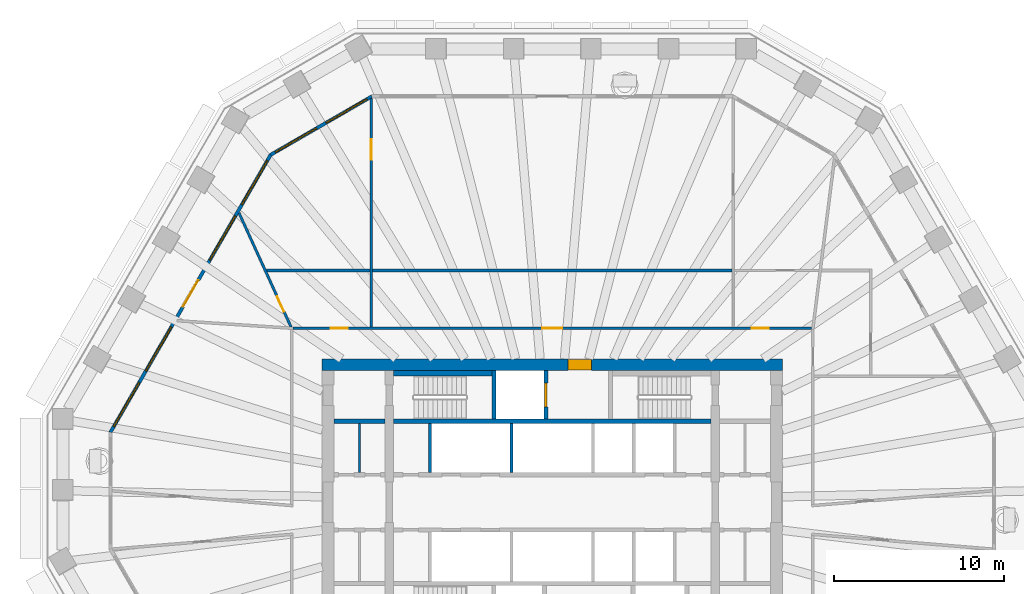
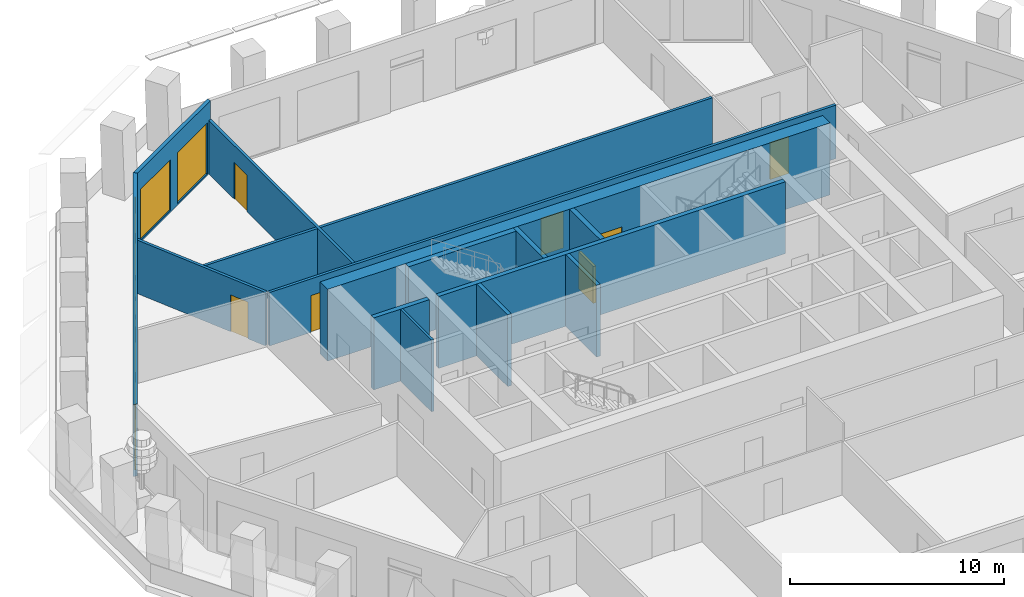
# One storey, part 7 of 13: 15 walls, 8 doors, 7 windows, 15 openings.
"""IFC4 building model written with IfcOpenShell, lengths in metres."""

from ifc_helpers import new_model, si_unit, direction, frame, frame_2d, origin, place, context, subcontext, project, spatial, polyline, rectangle, outline, extrude, material, layer, layer_set, type_object, element, fill, save


model = new_model("IFC4")

# Units and contexts
model_context = context("Model", 3, precision=1e-05, world=origin(), true_north=direction((0.0, 1.0)))
body_context = subcontext(model_context, "Body", "Model", "MODEL_VIEW")
ifc_project = project(units=[si_unit("LENGTHUNIT", "METRE"), si_unit("AREAUNIT", "SQUARE_METRE"), si_unit("VOLUMEUNIT", "CUBIC_METRE"), si_unit("PLANEANGLEUNIT", "RADIAN"), si_unit("MASSUNIT", "GRAM", prefix="KILO")], contexts=[model_context])

# Site, building, storey
site_placement = place(None, origin())
site = spatial("IfcSite", under=ifc_project, at=site_placement, CompositionType="ELEMENT")
building_placement = place(site_placement, origin())
building = spatial("IfcBuilding", under=site, at=building_placement, Name="Frailejon Research Tower", CompositionType="ELEMENT")
storey_placement = place(building_placement, frame((0.0, 0.0, 167.199951171875)))
storey = spatial("IfcBuildingStorey", under=building, at=storey_placement, Name="L36", CompositionType="ELEMENT", Elevation=167.199951171875)

# Wall
ifc_material_1 = material(Name="Plasterboard on steel studs", Category="steel")
ifc_layer_1 = layer(ifc_material_1, 0.125)
ifc_layer_set_1 = layer_set([ifc_layer_1], Name="Core partition 125")
wall_type_1 = type_object("IfcWallType", Name="Core partition 125", PredefinedType="PARTITIONING", material=ifc_layer_set_1)
wall_1_placement = place(storey_placement, frame((-11.35009765625, 1.75, 0.0), z_axis=(0.0, 0.0, 1.0), x_axis=(0.0, 1.0, 0.0)))
element("IfcWall", 1, at=wall_1_placement, inside=storey, type_object=wall_type_1, Name="Core partition", PredefinedType="PARTITIONING", context=body_context, shape_type="SweptSolid", body=[
    extrude(rectangle(XDim=2.89990234375, YDim=0.125, at=frame_2d((1.449951171875, 0.0))), origin(), (0.0, 0.0, 1.0), 4.10009765625),
])

# Wall, opening, door
ifc_material_2 = material(Name="Concrete C60/75", Category="concrete")
ifc_layer_2 = layer(ifc_material_2, 0.699951171875)
ifc_layer_set_2 = layer_set([ifc_layer_2], Name="Core shear wall 700 C60/75")
wall_type_2 = type_object("IfcWallType", Name="Core shear wall 700 C60/75", PredefinedType="SHEAR", material=ifc_layer_set_2)
wall_2_placement = place(storey_placement, frame((-13.550048828125, 8.10009765625, 0.0), z_axis=(0.0, 0.0, 1.0), x_axis=(1.0, 0.0, 0.0)))
wall_2 = element("IfcWall", 2, at=wall_2_placement, inside=storey, type_object=wall_type_2, Name="Core shear wall", PredefinedType="SHEAR", context=body_context, shape_type="SweptSolid", body=[
    extrude(rectangle(XDim=27.10009765625, YDim=0.699951171875, at=frame_2d((13.550048828125, 0.0))), origin(), (0.0, 0.0, 1.0), 4.10009765625),
])
opening_1_placement = place(wall_2_placement, frame((14.47509765625, 0.0, 0.0)))
opening_1 = element("IfcOpeningElement", 3, at=opening_1_placement, cuts=wall_2, Name="Opening D9", PredefinedType="OPENING", context=body_context, shape_type="SweptSolid", body=[
    extrude(rectangle(XDim=1.39990234375, YDim=2.10009765625, at=frame_2d((0.699951171875, 1.050048828125))), frame((0.0, 0.35986328125, 0.0), z_axis=(0.0, -1.0, 0.0), x_axis=(1.0, 0.0, 0.0)), (0.0, 0.0, 1.0), 0.719970703125),
])
ifc_material_3 = material(Name="Steel", Category="steel")
door_type_1 = type_object("IfcDoorType", Name="Goods lobby door", OperationType="DOUBLE_DOOR_SINGLE_SWING", PredefinedType="DOOR", material=ifc_material_3)
door_1_placement = place(opening_1_placement, origin())
door_1 = element("IfcDoor", 4, at=door_1_placement, inside=storey, type_object=door_type_1, Name="Goods lobby door", OperationType="DOUBLE_DOOR_SINGLE_SWING", OverallHeight=2.10009765625, OverallWidth=1.39990234375, PredefinedType="DOOR", context=body_context, shape_type="SweptSolid", body=[
    extrude(rectangle(XDim=1.39990234375, YDim=2.10009765625, at=frame_2d((0.699951171875, 1.050048828125))), frame((0.0, 0.300048828125, 0.0), z_axis=(0.0, -1.0, 0.0), x_axis=(1.0, 0.0, 0.0)), (0.0, 0.0, 1.0), 0.60009765625),
])
fill(opening_1, door_1)

# Wall, openings, doors
ifc_material_4 = material(Name="Gypsum board and masonry partition", Category="masonry")
ifc_layer_3 = layer(ifc_material_4, 0.14990234375)
ifc_layer_set_3 = layer_set([ifc_layer_3], Name="Corridor wall EI 60, gypsum on steel studs 150")
wall_type_3 = type_object("IfcWallType", Name="Corridor wall EI 60, gypsum on steel studs 150", PredefinedType="PARTITIONING", material=ifc_layer_set_3)
wall_3_placement = place(storey_placement, frame((-15.27490234375, 10.25, 0.0), z_axis=(0.0, 0.0, 1.0), x_axis=(1.0, 0.0, 0.0)))
wall_3 = element("IfcWall", 5, at=wall_3_placement, inside=storey, type_object=wall_type_3, Name="T:IW:L36:003", PredefinedType="PARTITIONING", context=body_context, shape_type="SweptSolid", body=[
    extrude(rectangle(XDim=30.5498046875, YDim=0.14990234375, at=frame_2d((15.27490234375, 0.0))), origin(), (0.0, 0.0, 1.0), 3.050048828125),
])
opening_2_placement = place(wall_3_placement, frame((27.028564453125, 0.0, 0.0)))
opening_2 = element("IfcOpeningElement", 6, at=opening_2_placement, cuts=wall_3, Name="Opening D1783", PredefinedType="OPENING", context=body_context, shape_type="SweptSolid", body=[
    extrude(rectangle(XDim=1.0, YDim=2.10009765625, at=frame_2d((0.5, 1.050048828125))), frame((0.0, 0.0849609375, 0.0), z_axis=(0.0, -1.0, 0.0), x_axis=(1.0, 0.0, 0.0)), (0.0, 0.0, 1.0), 0.169921875),
])
opening_3_placement = place(wall_3_placement, frame((14.675048828125, 0.0, 0.0)))
opening_3 = element("IfcOpeningElement", 7, at=opening_3_placement, cuts=wall_3, Name="Opening D1786", PredefinedType="OPENING", context=body_context, shape_type="SweptSolid", body=[
    extrude(rectangle(XDim=1.199951171875, YDim=2.10009765625, at=frame_2d((0.60009765625, 1.050048828125))), frame((0.0, 0.0849609375, 0.0), z_axis=(0.0, -1.0, 0.0), x_axis=(1.0, 0.0, 0.0)), (0.0, 0.0, 1.0), 0.169921875),
])
opening_4_placement = place(wall_3_placement, frame((2.221923828125, 0.0, 0.0)))
opening_4 = element("IfcOpeningElement", 8, at=opening_4_placement, cuts=wall_3, Name="Opening D1788", PredefinedType="OPENING", context=body_context, shape_type="SweptSolid", body=[
    extrude(rectangle(XDim=1.0, YDim=2.10009765625, at=frame_2d((0.5, 1.050048828125))), frame((0.0, 0.0849609375, 0.0), z_axis=(0.0, -1.0, 0.0), x_axis=(1.0, 0.0, 0.0)), (0.0, 0.0, 1.0), 0.169921875),
])
ifc_material_5 = material(Name="Timber door leaf", Category="wood")
door_type_2 = type_object("IfcDoorType", Name="Door laboratory, timber, vision panel 1000", OperationType="NOTDEFINED", PredefinedType="DOOR", material=ifc_material_5)
door_2_placement = place(opening_4_placement, origin())
door_2 = element("IfcDoor", 9, at=door_2_placement, inside=storey, type_object=door_type_2, Name="D1788", OperationType="SINGLE_SWING_LEFT", OverallHeight=2.10009765625, OverallWidth=1.0, PredefinedType="DOOR", context=body_context, shape_type="SweptSolid", body=[
    extrude(rectangle(XDim=1.0, YDim=2.10009765625, at=frame_2d((0.5, 1.050048828125))), frame((0.0, 0.02490234375, 0.0), z_axis=(0.0, -1.0, 0.0), x_axis=(1.0, 0.0, 0.0)), (0.0, 0.0, 1.0), 0.050048828125),
])
fill(opening_4, door_2)
ifc_material_6 = material(Name="Timber door leaf", Category="wood")
door_type_3 = type_object("IfcDoorType", Name="Door single leaf, timber, steel frame 1000", OperationType="NOTDEFINED", PredefinedType="DOOR", material=ifc_material_6)
door_3_placement = place(opening_2_placement, origin())
door_3 = element("IfcDoor", 10, at=door_3_placement, inside=storey, type_object=door_type_3, Name="D1783", OperationType="SINGLE_SWING_RIGHT", OverallHeight=2.10009765625, OverallWidth=1.0, PredefinedType="DOOR", context=body_context, shape_type="SweptSolid", body=[
    extrude(rectangle(XDim=1.0, YDim=2.10009765625, at=frame_2d((0.5, 1.050048828125))), frame((0.0, 0.02490234375, 0.0), z_axis=(0.0, -1.0, 0.0), x_axis=(1.0, 0.0, 0.0)), (0.0, 0.0, 1.0), 0.050048828125),
])
fill(opening_2, door_3)
ifc_material_7 = material(Name="Timber door leaf", Category="wood")
door_type_4 = type_object("IfcDoorType", Name="Door single leaf, timber, steel frame 1200", OperationType="NOTDEFINED", PredefinedType="DOOR", material=ifc_material_7)
door_4_placement = place(opening_3_placement, origin())
door_4 = element("IfcDoor", 11, at=door_4_placement, inside=storey, type_object=door_type_4, Name="D1786", OperationType="DOUBLE_DOOR_SINGLE_SWING", OverallHeight=2.10009765625, OverallWidth=1.199951171875, PredefinedType="DOOR", context=body_context, shape_type="SweptSolid", body=[
    extrude(rectangle(XDim=1.199951171875, YDim=2.10009765625, at=frame_2d((0.60009765625, 1.050048828125))), frame((0.0, 0.02490234375, 0.0), z_axis=(0.0, -1.0, 0.0), x_axis=(1.0, 0.0, 0.0)), (0.0, 0.0, 1.0), 0.050048828125),
])
fill(opening_3, door_4)

# Wall
ifc_material_8 = material(Name="Gypsum board and masonry partition", Category="masonry")
ifc_layer_4 = layer(ifc_material_8, 0.14990234375)
ifc_layer_set_4 = layer_set([ifc_layer_4], Name="Laboratory partition, blockwork 150")
wall_type_4 = type_object("IfcWallType", Name="Laboratory partition, blockwork 150", PredefinedType="PARTITIONING", material=ifc_layer_set_4)
wall_4_placement = place(storey_placement, frame((-16.8251953125, 13.64990234375, 0.0), z_axis=(0.0, 0.0, 1.0), x_axis=(1.0, 0.0, 0.0)))
element("IfcWall", 12, at=wall_4_placement, inside=storey, type_object=wall_type_4, Name="T:IW:L36:012", PredefinedType="PARTITIONING", context=body_context, shape_type="SweptSolid", body=[
    extrude(rectangle(XDim=27.40478515625, YDim=0.14990234375, at=frame_2d((13.702392578125, 0.0))), origin(), (0.0, 0.0, 1.0), 3.050048828125),
])

# Wall, opening, door
wall_5_placement = place(storey_placement, frame((-10.65478515625, 10.324951171875, 0.0), z_axis=(0.0, 0.0, 1.0), x_axis=(0.0, 1.0, 0.0)))
wall_5 = element("IfcWall", 13, at=wall_5_placement, inside=storey, type_object=wall_type_4, Name="T:IW:L36:018", PredefinedType="PARTITIONING", context=body_context, shape_type="SweptSolid", body=[
    extrude(rectangle(XDim=13.444091796875, YDim=0.14990234375, at=frame_2d((6.72216796875, 0.0))), origin(), (0.0, 0.0, 1.0), 3.050048828125),
])
opening_5_placement = place(wall_5_placement, frame((9.83935546875, 0.0, 0.0)))
opening_5 = element("IfcOpeningElement", 14, at=opening_5_placement, cuts=wall_5, Name="Opening D1787", PredefinedType="OPENING", context=body_context, shape_type="SweptSolid", body=[
    extrude(rectangle(XDim=1.199951171875, YDim=2.10009765625, at=frame_2d((0.60009765625, 1.050048828125))), frame((0.0, 0.0849609375, 0.0), z_axis=(0.0, -1.0, 0.0), x_axis=(1.0, 0.0, 0.0)), (0.0, 0.0, 1.0), 0.169921875),
])
ifc_material_9 = material(Name="Timber door leaf", Category="wood")
door_type_5 = type_object("IfcDoorType", Name="Door laboratory, timber, vision panel 1200", OperationType="NOTDEFINED", PredefinedType="DOOR", material=ifc_material_9)
door_5_placement = place(opening_5_placement, origin())
door_5 = element("IfcDoor", 15, at=door_5_placement, inside=storey, type_object=door_type_5, Name="D1787", OperationType="DOUBLE_DOOR_SINGLE_SWING", OverallHeight=2.10009765625, OverallWidth=1.199951171875, PredefinedType="DOOR", context=body_context, shape_type="SweptSolid", body=[
    extrude(rectangle(XDim=1.199951171875, YDim=2.10009765625, at=frame_2d((0.60009765625, 1.050048828125))), frame((0.0, 0.02490234375, 0.0), z_axis=(0.0, -1.0, 0.0), x_axis=(1.0, 0.0, 0.0)), (0.0, 0.0, 1.0), 0.050048828125),
])
fill(opening_5, door_5)

wall_6_placement = place(storey_placement, frame((-18.4443359375, 17.036376953125, 0.0), z_axis=(0.0, 0.0, 1.0), x_axis=(0.414866403237, -0.909882337154, 0.0)))
wall_6 = element("IfcWall", 16, at=wall_6_placement, inside=storey, type_object=wall_type_4, Name="T:IW:L36:019", PredefinedType="PARTITIONING", context=body_context, shape_type="SweptSolid", body=[
    extrude(rectangle(XDim=7.383544921875, YDim=0.14990234375, at=frame_2d((3.69189453125, 0.0))), origin(), (0.0, 0.0, 1.0), 3.050048828125),
])
opening_6_placement = place(wall_6_placement, frame((5.3955078125, 0.0, 0.0)))
opening_6 = element("IfcOpeningElement", 17, at=opening_6_placement, cuts=wall_6, Name="Opening D1789", PredefinedType="OPENING", context=body_context, shape_type="SweptSolid", body=[
    extrude(rectangle(XDim=1.0, YDim=2.10009765625, at=frame_2d((0.5, 1.050048828125))), frame((0.0, 0.0849609375, 0.0), z_axis=(0.0, -1.0, 0.0), x_axis=(1.0, 0.0, 0.0)), (0.0, 0.0, 1.0), 0.169921875),
])
door_6_placement = place(opening_6_placement, origin())
door_6 = element("IfcDoor", 18, at=door_6_placement, inside=storey, type_object=door_type_2, Name="D1789", OperationType="SINGLE_SWING_RIGHT", OverallHeight=2.10009765625, OverallWidth=1.0, PredefinedType="DOOR", context=body_context, shape_type="SweptSolid", body=[
    extrude(rectangle(XDim=1.0, YDim=2.10009765625, at=frame_2d((0.5, 1.050048828125))), frame((0.0, 0.02490234375, 0.0), z_axis=(0.0, -1.0, 0.0), x_axis=(1.0, 0.0, 0.0)), (0.0, 0.0, 1.0), 0.050048828125),
])
fill(opening_6, door_6)

# Walls
ifc_material_10 = material(Name="Concrete C60/75", Category="concrete")
ifc_layer_5 = layer(ifc_material_10, 0.199951171875)
ifc_layer_set_5 = layer_set([ifc_layer_5], Name="Shaft wall 200 C60/75")
wall_type_5 = type_object("IfcWallType", Name="Shaft wall 200 C60/75", PredefinedType="SOLIDWALL", material=ifc_layer_set_5)
for number, where, z_axis, x_axis, name in (
    (19, (-7.199951171875, 1.75, 0.0), (0.0, 0.0, 1.0), (0.0, 1.0, 0.0), "Shaft wall"),
    (20, (-2.39990234375, 1.75, 0.0), (0.0, 0.0, 1.0), (0.0, 1.0, 0.0), "Shaft wall"),
):
    element("IfcWall", number, at=place(storey_placement, frame(where, z_axis=z_axis, x_axis=x_axis)), inside=storey, type_object=wall_type_5, Name=name, PredefinedType="SOLIDWALL", context=body_context, shape_type="SweptSolid", body=[
        extrude(rectangle(XDim=2.89990234375, YDim=0.199951171875, at=frame_2d((1.449951171875, 0.0))), origin(), (0.0, 0.0, 1.0), 4.10009765625),
    ])
ifc_material_11 = material(Name="Concrete C60/75", Category="concrete")
ifc_layer_6 = layer(ifc_material_11, 0.25)
ifc_layer_set_6 = layer_set([ifc_layer_6], Name="Shaft wall 250 C60/75")
wall_type_6 = type_object("IfcWallType", Name="Shaft wall 250 C60/75", PredefinedType="SOLIDWALL", material=ifc_layer_set_6)
wall_7_placement = place(storey_placement, frame((-12.85009765625, 4.77490234375, 0.0), z_axis=(0.0, 0.0, 1.0), x_axis=(1.0, 0.0, 0.0)))
element("IfcWall", 21, at=wall_7_placement, inside=storey, type_object=wall_type_6, Name="Shaft wall", PredefinedType="SOLIDWALL", context=body_context, shape_type="SweptSolid", body=[
    extrude(rectangle(XDim=3.0, YDim=0.25, at=frame_2d((1.5, 0.0))), origin(), (0.0, 0.0, 1.0), 4.10009765625),
])
wall_8_placement = place(storey_placement, frame((-9.35009765625, 4.77490234375, 0.0), z_axis=(0.0, 0.0, 1.0), x_axis=(1.0, 0.0, 0.0)))
element("IfcWall", 22, at=wall_8_placement, inside=storey, type_object=wall_type_6, Name="Shaft wall", PredefinedType="SOLIDWALL", context=body_context, shape_type="SweptSolid", body=[
    extrude(rectangle(XDim=18.7001953125, YDim=0.25, at=frame_2d((9.35009765625, 0.0))), origin(), (0.0, 0.0, 1.0), 4.10009765625),
])
wall_9_placement = place(storey_placement, frame((-3.425048828125, 4.89990234375, 0.0), z_axis=(0.0, 0.0, 1.0), x_axis=(0.0, 1.0, 0.0)))
element("IfcWall", 23, at=wall_9_placement, inside=storey, type_object=wall_type_6, Name="Shaft wall", PredefinedType="SOLIDWALL", context=body_context, shape_type="SweptSolid", body=[
    extrude(rectangle(XDim=2.85009765625, YDim=0.25, at=frame_2d((1.425048828125, 0.0))), origin(), (0.0, 0.0, 1.0), 4.10009765625),
])

# Wall, opening, door
wall_10_placement = place(storey_placement, frame((-0.375, 4.89990234375, 0.0), z_axis=(0.0, 0.0, 1.0), x_axis=(0.0, 1.0, 0.0)))
wall_10 = element("IfcWall", 24, at=wall_10_placement, inside=storey, type_object=wall_type_6, Name="Shaft wall", PredefinedType="SOLIDWALL", context=body_context, shape_type="SweptSolid", body=[
    extrude(rectangle(XDim=2.85009765625, YDim=0.25, at=frame_2d((1.425048828125, 0.0))), origin(), (0.0, 0.0, 1.0), 4.10009765625),
])
opening_7_placement = place(wall_10_placement, frame((0.72509765625, 0.0, 0.0)))
opening_7 = element("IfcOpeningElement", 25, at=opening_7_placement, cuts=wall_10, Name="Opening LD2", PredefinedType="OPENING", context=body_context, shape_type="SweptSolid", body=[
    extrude(rectangle(XDim=1.39990234375, YDim=2.10009765625, at=frame_2d((0.699951171875, 1.050048828125))), frame((0.0, 0.135009765625, 0.0), z_axis=(0.0, -1.0, 0.0), x_axis=(1.0, 0.0, 0.0)), (0.0, 0.0, 1.0), 0.27001953125),
])
ifc_material_12 = material(Name="Stainless steel", Category="steel")
door_type_6 = type_object("IfcDoorType", Name="Goods landing door", OperationType="DOUBLE_DOOR_SLIDING", PredefinedType="DOOR", material=ifc_material_12)
door_7_placement = place(opening_7_placement, origin())
door_7 = element("IfcDoor", 26, at=door_7_placement, inside=storey, type_object=door_type_6, Name="Lift landing door", OperationType="DOUBLE_DOOR_SLIDING", OverallHeight=2.10009765625, OverallWidth=1.39990234375, PredefinedType="DOOR", context=body_context, shape_type="SweptSolid", body=[
    extrude(rectangle(XDim=1.39990234375, YDim=2.10009765625, at=frame_2d((0.699951171875, 1.050048828125))), frame((0.0, 0.074951171875, 0.0), z_axis=(0.0, -1.0, 0.0), x_axis=(1.0, 0.0, 0.0)), (0.0, 0.0, 1.0), 0.14990234375),
])
fill(opening_7, door_7)

# Wall
ifc_material_13 = material(Name="Concrete C60/75", Category="concrete")
ifc_layer_7 = layer(ifc_material_13, 0.300048828125)
ifc_layer_set_7 = layer_set([ifc_layer_7], Name="Shaft wall 300 C60/75")
wall_type_7 = type_object("IfcWallType", Name="Shaft wall 300 C60/75", PredefinedType="SOLIDWALL", material=ifc_layer_set_7)
wall_11_placement = place(storey_placement, frame((-9.35009765625, 7.60009765625, 0.0), z_axis=(0.0, 0.0, 1.0), x_axis=(1.0, 0.0, 0.0)))
element("IfcWall", 27, at=wall_11_placement, inside=storey, type_object=wall_type_7, Name="Shaft wall", PredefinedType="SOLIDWALL", context=body_context, shape_type="SweptSolid", body=[
    extrude(rectangle(XDim=5.800048828125, YDim=0.300048828125, at=frame_2d((2.89990234375, 0.0))), origin(), (0.0, 0.0, 1.0), 4.10009765625),
])

# Wall, openings, windows
ifc_material_14 = material(Name="Concrete C40/50 precast window wall panel", Category="concrete")
ifc_layer_8 = layer(ifc_material_14, 0.199951171875)
ifc_layer_set_8 = layer_set([ifc_layer_8], Name="Window wall 200")
wall_type_8 = type_object("IfcWallType", Name="Window wall 200", PredefinedType="SOLIDWALL", material=ifc_layer_set_8)
wall_12_placement = place(storey_placement, frame((-10.6279296875, 23.89990234375, 0.0), z_axis=(0.0, 0.0, 1.0), x_axis=(-0.866029458321, -0.49999297727, 0.0)))
wall_12 = element("IfcWall", 28, at=wall_12_placement, inside=storey, type_object=wall_type_8, Name="Exterior wall L36", PredefinedType="SOLIDWALL", context=body_context, shape_type="SweptSolid", body=[
    extrude(outline(polyline([(-0.02685546875, -0.10009765625), (1.1279296875, -0.10009765625), (2.282470703125, -0.10009765625), (3.437255859375, -0.10009765625), (4.592041015625, -0.10009765625), (5.74658203125, -0.10009765625), (6.9013671875, -0.10009765625), (6.84765625, 0.10009765625), (5.7109375, 0.10009765625), (4.573974609375, 0.10009765625), (3.437255859375, 0.10009765625), (2.300537109375, 0.10009765625), (1.16357421875, 0.10009765625), (0.02685546875, 0.10009765625), (-0.02685546875, -0.10009765625)])), origin(), (0.0, 0.0, 1.0), 4.10009765625),
])
opening_8_placement = place(wall_12_placement, frame((0.318603515625, 0.0, 0.10009765625)))
opening_8 = element("IfcOpeningElement", 29, at=opening_8_placement, cuts=wall_12, Name="Opening W3", PredefinedType="OPENING", context=body_context, shape_type="SweptSolid", body=[
    extrude(rectangle(XDim=2.800048828125, YDim=2.89990234375, at=frame_2d((1.39990234375, 1.449951171875))), frame((0.0, 0.10986328125, 0.0), z_axis=(0.0, -1.0, 0.0), x_axis=(1.0, 0.0, 0.0)), (0.0, 0.0, 1.0), 0.219970703125),
])
opening_9_placement = place(wall_12_placement, frame((3.756103515625, 0.0, 0.10009765625)))
opening_9 = element("IfcOpeningElement", 30, at=opening_9_placement, cuts=wall_12, Name="Opening W3", PredefinedType="OPENING", context=body_context, shape_type="SweptSolid", body=[
    extrude(rectangle(XDim=2.800048828125, YDim=2.89990234375, at=frame_2d((1.39990234375, 1.449951171875))), frame((0.0, 0.10986328125, 0.0), z_axis=(0.0, -1.0, 0.0), x_axis=(1.0, 0.0, 0.0)), (0.0, 0.0, 1.0), 0.219970703125),
])
ifc_material_15 = material(Name="Aluminium framed double glazing", Category="aluminium")
window_type_1 = type_object("IfcWindowType", Name="Window 2800x2900", PartitioningType="SINGLE_PANEL", PredefinedType="WINDOW", material=ifc_material_15)
window_1_placement = place(opening_8_placement, origin())
window_1 = element("IfcWindow", 31, at=window_1_placement, inside=storey, type_object=window_type_1, Name="Window L36", OverallHeight=2.89990234375, OverallWidth=2.800048828125, PartitioningType="SINGLE_PANEL", PredefinedType="WINDOW", context=body_context, shape_type="SweptSolid", body=[
    extrude(rectangle(XDim=2.800048828125, YDim=2.89990234375, at=frame_2d((1.39990234375, 1.449951171875))), frame((0.0, 0.030029296875, 0.0), z_axis=(0.0, -1.0, 0.0), x_axis=(1.0, 0.0, 0.0)), (0.0, 0.0, 1.0), 0.06005859375),
])
fill(opening_8, window_1)
window_2_placement = place(opening_9_placement, origin())
window_2 = element("IfcWindow", 32, at=window_2_placement, inside=storey, type_object=window_type_1, Name="Window L36", OverallHeight=2.89990234375, OverallWidth=2.800048828125, PartitioningType="SINGLE_PANEL", PredefinedType="WINDOW", context=body_context, shape_type="SweptSolid", body=[
    extrude(rectangle(XDim=2.800048828125, YDim=2.89990234375, at=frame_2d((1.39990234375, 1.449951171875))), frame((0.0, 0.030029296875, 0.0), z_axis=(0.0, -1.0, 0.0), x_axis=(1.0, 0.0, 0.0)), (0.0, 0.0, 1.0), 0.06005859375),
])
fill(opening_9, window_2)

# Wall, openings, door, windows
wall_13_placement = place(storey_placement, frame((-16.58154296875, 20.462646484375, 0.0), z_axis=(0.0, 0.0, 1.0), x_axis=(-0.499999588275, -0.866025641494, 0.0)))
wall_13 = element("IfcWall", 33, at=wall_13_placement, inside=storey, type_object=wall_type_8, Name="Exterior wall L36", PredefinedType="SOLIDWALL", context=body_context, shape_type="SweptSolid", body=[
    extrude(outline(polyline([(-0.02685546875, -0.10009765625), (1.02392578125, -0.10009765625), (2.07470703125, -0.10009765625), (3.12548828125, -0.10009765625), (4.17626953125, -0.10009765625), (5.227294921875, -0.10009765625), (6.278076171875, -0.10009765625), (7.328857421875, -0.10009765625), (8.379638671875, -0.10009765625), (9.430419921875, -0.10009765625), (10.481201171875, -0.10009765625), (11.531982421875, -0.10009765625), (12.582763671875, -0.10009765625), (13.633544921875, -0.10009765625), (14.6845703125, -0.10009765625), (15.7353515625, -0.10009765625), (16.7861328125, -0.10009765625), (17.8369140625, -0.10009765625), (18.8876953125, -0.10009765625), (18.833984375, 0.10009765625), (17.7890625, 0.10009765625), (16.744384765625, 0.10009765625), (15.699462890625, 0.10009765625), (14.654541015625, 0.10009765625), (13.60986328125, 0.10009765625), (12.56494140625, 0.10009765625), (11.52001953125, 0.10009765625), (10.475341796875, 0.10009765625), (9.430419921875, 0.10009765625), (8.385498046875, 0.10009765625), (7.3408203125, 0.10009765625), (6.2958984375, 0.10009765625), (5.2509765625, 0.10009765625), (4.206298828125, 0.10009765625), (3.161376953125, 0.10009765625), (2.116455078125, 0.10009765625), (1.07177734375, 0.10009765625), (0.02685546875, 0.10009765625), (-0.02685546875, -0.10009765625)])), origin(), (0.0, 0.0, 1.0), 4.10009765625),
])
opening_10_placement = place(wall_13_placement, frame((0.385986328125, 0.0, 0.10009765625)))
opening_10 = element("IfcOpeningElement", 34, at=opening_10_placement, cuts=wall_13, Name="Opening W4", PredefinedType="OPENING", context=body_context, shape_type="SweptSolid", body=[
    extrude(rectangle(XDim=3.0, YDim=2.89990234375, at=frame_2d((1.5, 1.449951171875))), frame((0.0, 0.10986328125, 0.0), z_axis=(0.0, -1.0, 0.0), x_axis=(1.0, 0.0, 0.0)), (0.0, 0.0, 1.0), 0.219970703125),
])
opening_11_placement = place(wall_13_placement, frame((4.158203125, 0.0, 0.10009765625)))
opening_11 = element("IfcOpeningElement", 35, at=opening_11_placement, cuts=wall_13, Name="Opening W4", PredefinedType="OPENING", context=body_context, shape_type="SweptSolid", body=[
    extrude(rectangle(XDim=3.0, YDim=2.89990234375, at=frame_2d((1.5, 1.449951171875))), frame((0.0, 0.10986328125, 0.0), z_axis=(0.0, -1.0, 0.0), x_axis=(1.0, 0.0, 0.0)), (0.0, 0.0, 1.0), 0.219970703125),
])
opening_12_placement = place(wall_13_placement, frame((8.530517578125, 0.0, 0.0)))
opening_12 = element("IfcOpeningElement", 36, at=opening_12_placement, cuts=wall_13, Name="Opening LG36-3", PredefinedType="OPENING", context=body_context, shape_type="SweptSolid", body=[
    extrude(rectangle(XDim=1.800048828125, YDim=2.39990234375, at=frame_2d((0.89990234375, 1.199951171875))), frame((0.0, 0.10986328125, 0.0), z_axis=(0.0, -1.0, 0.0), x_axis=(1.0, 0.0, 0.0)), (0.0, 0.0, 1.0), 0.219970703125),
])
opening_13_placement = place(wall_13_placement, frame((8.530517578125, 0.0, 2.550048828125)))
opening_13 = element("IfcOpeningElement", 37, at=opening_13_placement, cuts=wall_13, Name="Opening W1", PredefinedType="OPENING", context=body_context, shape_type="SweptSolid", body=[
    extrude(rectangle(XDim=1.800048828125, YDim=0.449951171875, at=frame_2d((0.89990234375, 0.22509765625))), frame((0.0, 0.10986328125, 0.0), z_axis=(0.0, -1.0, 0.0), x_axis=(1.0, 0.0, 0.0)), (0.0, 0.0, 1.0), 0.219970703125),
])
opening_14_placement = place(wall_13_placement, frame((11.70263671875, 0.0, 0.10009765625)))
opening_14 = element("IfcOpeningElement", 38, at=opening_14_placement, cuts=wall_13, Name="Opening W4", PredefinedType="OPENING", context=body_context, shape_type="SweptSolid", body=[
    extrude(rectangle(XDim=3.0, YDim=2.89990234375, at=frame_2d((1.5, 1.449951171875))), frame((0.0, 0.10986328125, 0.0), z_axis=(0.0, -1.0, 0.0), x_axis=(1.0, 0.0, 0.0)), (0.0, 0.0, 1.0), 0.219970703125),
])
opening_15_placement = place(wall_13_placement, frame((15.474853515625, 0.0, 0.10009765625)))
opening_15 = element("IfcOpeningElement", 39, at=opening_15_placement, cuts=wall_13, Name="Opening W4", PredefinedType="OPENING", context=body_context, shape_type="SweptSolid", body=[
    extrude(rectangle(XDim=3.0, YDim=2.89990234375, at=frame_2d((1.5, 1.449951171875))), frame((0.0, 0.10986328125, 0.0), z_axis=(0.0, -1.0, 0.0), x_axis=(1.0, 0.0, 0.0)), (0.0, 0.0, 1.0), 0.219970703125),
])
ifc_material_16 = material(Name="Aluminium framed glazed door leaf", Category="aluminium")
door_type_7 = type_object("IfcDoorType", Name="Loggia door 1800x2400", OperationType="DOUBLE_DOOR_SINGLE_SWING", PredefinedType="DOOR", material=ifc_material_16)
door_8_placement = place(opening_12_placement, origin())
door_8 = element("IfcDoor", 40, at=door_8_placement, inside=storey, type_object=door_type_7, Name="Door LG36-3", OperationType="DOUBLE_DOOR_SINGLE_SWING", OverallHeight=2.39990234375, OverallWidth=1.800048828125, PredefinedType="DOOR", context=body_context, shape_type="SweptSolid", body=[
    extrude(rectangle(XDim=1.800048828125, YDim=2.39990234375, at=frame_2d((0.89990234375, 1.199951171875))), frame((0.0, 0.02490234375, 0.0), z_axis=(0.0, -1.0, 0.0), x_axis=(1.0, 0.0, 0.0)), (0.0, 0.0, 1.0), 0.050048828125),
])
fill(opening_12, door_8)
ifc_material_17 = material(Name="Aluminium framed double glazing", Category="aluminium")
window_type_2 = type_object("IfcWindowType", Name="Window 1800x450", PartitioningType="SINGLE_PANEL", PredefinedType="WINDOW", material=ifc_material_17)
window_3_placement = place(opening_13_placement, origin())
window_3 = element("IfcWindow", 41, at=window_3_placement, inside=storey, type_object=window_type_2, Name="Window L36", OverallHeight=0.449951171875, OverallWidth=1.800048828125, PartitioningType="SINGLE_PANEL", PredefinedType="WINDOW", context=body_context, shape_type="SweptSolid", body=[
    extrude(rectangle(XDim=1.800048828125, YDim=0.449951171875, at=frame_2d((0.89990234375, 0.22509765625))), frame((0.0, 0.030029296875, 0.0), z_axis=(0.0, -1.0, 0.0), x_axis=(1.0, 0.0, 0.0)), (0.0, 0.0, 1.0), 0.06005859375),
])
fill(opening_13, window_3)
ifc_material_18 = material(Name="Aluminium framed double glazing", Category="aluminium")
window_type_3 = type_object("IfcWindowType", Name="Window 3000x2900", PartitioningType="SINGLE_PANEL", PredefinedType="WINDOW", material=ifc_material_18)
window_4_placement = place(opening_10_placement, origin())
window_4 = element("IfcWindow", 42, at=window_4_placement, inside=storey, type_object=window_type_3, Name="Window L36", OverallHeight=2.89990234375, OverallWidth=3.0, PartitioningType="SINGLE_PANEL", PredefinedType="WINDOW", context=body_context, shape_type="SweptSolid", body=[
    extrude(rectangle(XDim=3.0, YDim=2.89990234375, at=frame_2d((1.5, 1.449951171875))), frame((0.0, 0.030029296875, 0.0), z_axis=(0.0, -1.0, 0.0), x_axis=(1.0, 0.0, 0.0)), (0.0, 0.0, 1.0), 0.06005859375),
])
fill(opening_10, window_4)
window_5_placement = place(opening_11_placement, origin())
window_5 = element("IfcWindow", 43, at=window_5_placement, inside=storey, type_object=window_type_3, Name="Window L36", OverallHeight=2.89990234375, OverallWidth=3.0, PartitioningType="SINGLE_PANEL", PredefinedType="WINDOW", context=body_context, shape_type="SweptSolid", body=[
    extrude(rectangle(XDim=3.0, YDim=2.89990234375, at=frame_2d((1.5, 1.449951171875))), frame((0.0, 0.030029296875, 0.0), z_axis=(0.0, -1.0, 0.0), x_axis=(1.0, 0.0, 0.0)), (0.0, 0.0, 1.0), 0.06005859375),
])
fill(opening_11, window_5)
window_6_placement = place(opening_14_placement, origin())
window_6 = element("IfcWindow", 44, at=window_6_placement, inside=storey, type_object=window_type_3, Name="Window L36", OverallHeight=2.89990234375, OverallWidth=3.0, PartitioningType="SINGLE_PANEL", PredefinedType="WINDOW", context=body_context, shape_type="SweptSolid", body=[
    extrude(rectangle(XDim=3.0, YDim=2.89990234375, at=frame_2d((1.5, 1.449951171875))), frame((0.0, 0.030029296875, 0.0), z_axis=(0.0, -1.0, 0.0), x_axis=(1.0, 0.0, 0.0)), (0.0, 0.0, 1.0), 0.06005859375),
])
fill(opening_14, window_6)
window_7_placement = place(opening_15_placement, origin())
window_7 = element("IfcWindow", 45, at=window_7_placement, inside=storey, type_object=window_type_3, Name="Window L36", OverallHeight=2.89990234375, OverallWidth=3.0, PartitioningType="SINGLE_PANEL", PredefinedType="WINDOW", context=body_context, shape_type="SweptSolid", body=[
    extrude(rectangle(XDim=3.0, YDim=2.89990234375, at=frame_2d((1.5, 1.449951171875))), frame((0.0, 0.030029296875, 0.0), z_axis=(0.0, -1.0, 0.0), x_axis=(1.0, 0.0, 0.0)), (0.0, 0.0, 1.0), 0.06005859375),
])
fill(opening_15, window_7)

save(model, "model.ifc")
